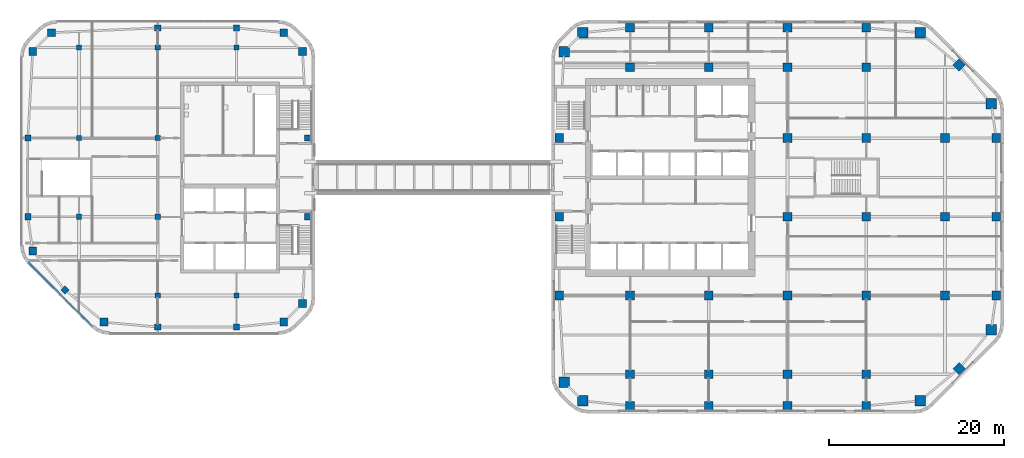
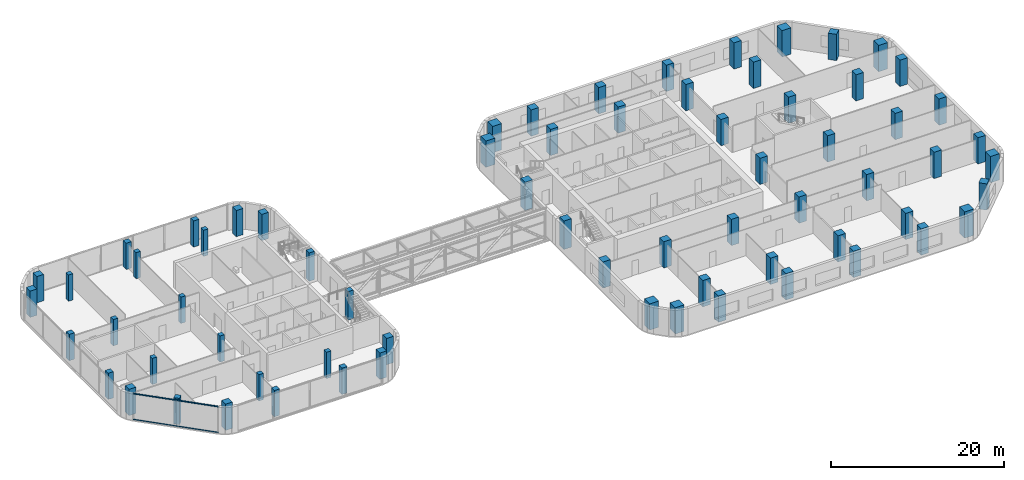
# One storey, part 1 of 21: 69 columns, 4 members, 1 element without a shape of its own.
"""IFC4 building model written with IfcOpenShell, lengths in metres."""

import ifcopenshell
import ifcopenshell.guid

model = None  # the IFC model being written
_history = None  # IfcOwnerHistory: only IFC2X3 demands one
_inside = {}  # id of a spatial element -> (the spatial element, [elements in it])
_under = {}  # id of a project, library or spatial element -> (it, [spatial elements below it])
_declared = {}  # id of a project -> (the project, [libraries it declares])
_typed = {}  # id of a type object -> (the type object, [elements of that type])
_made_of = {}  # id of a material, layer set ... -> (it, [elements and type objects made of it])


def new_model(schema):
    """Start an empty IFC model of exactly this schema.

    Asked for "IFC4X3", IfcOpenShell would pick the latest addendum, in which some entities
    have other attributes; the version numbers below select the first issue.
    IFC2X3 requires an IfcOwnerHistory on every rooted entity: one is made here for all.
    """
    global model, _history
    if schema == "IFC4X3":
        model = ifcopenshell.file(schema_version=(4, 3, 0, 0))
    else:
        model = ifcopenshell.file(schema=schema)
    _inside.clear()
    _under.clear()
    _declared.clear()
    _typed.clear()
    _made_of.clear()
    _history = None
    if model.schema == "IFC2X3":
        org = make("IfcOrganization", Name="unknown")
        user = make(
            "IfcPersonAndOrganization",
            ThePerson=make("IfcPerson", FamilyName="unknown"),
            TheOrganization=org,
        )
        app = make(
            "IfcApplication",
            ApplicationDeveloper=org,
            Version="unknown",
            ApplicationFullName="unknown",
            ApplicationIdentifier="unknown",
        )
        _history = make(
            "IfcOwnerHistory",
            OwningUser=user,
            OwningApplication=app,
            ChangeAction="ADDED",
            CreationDate=0,
        )
    return model


def make(cls, **values):
    """One entity of the class cls with the attributes given. An attribute that is None is left unset."""
    return model.create_entity(
        cls, **{name: value for name, value in values.items() if value is not None}
    )


def rooted(cls, **values):
    """An entity with a GlobalId (a new one), such as an element, a storey or a relation."""
    return make(cls, GlobalId=ifcopenshell.guid.new(), OwnerHistory=_history, **values)


def si_unit(unit_type, name, prefix=None):
    """IfcSIUnit, for example si_unit("LENGTHUNIT", "METRE", prefix="MILLI")."""
    return make("IfcSIUnit", UnitType=unit_type, Prefix=prefix, Name=name)


def assignment(units):
    """IfcUnitAssignment: the units of a project."""
    return None if units is None else make("IfcUnitAssignment", Units=units)


def point(xyz):
    """IfcCartesianPoint."""
    return None if xyz is None else make("IfcCartesianPoint", Coordinates=xyz)


def direction(xyz):
    """IfcDirection."""
    return None if xyz is None else make("IfcDirection", DirectionRatios=xyz)


def frame(location, z_axis=None, x_axis=None):
    """IfcAxis2Placement3D, a coordinate frame: its origin and axes. An axis left out is left unset."""
    return make(
        "IfcAxis2Placement3D",
        Location=point(location),
        Axis=direction(z_axis),
        RefDirection=direction(x_axis),
    )


def frame_2d(location, x_axis=None):
    """IfcAxis2Placement2D, a coordinate frame in the plane: its origin and x axis."""
    return make(
        "IfcAxis2Placement2D", Location=point(location), RefDirection=direction(x_axis)
    )


def origin():
    """The frame at (0, 0, 0) with its axes left unset."""
    return frame((0.0, 0.0, 0.0))


def origin_2d():
    """The frame at (0, 0) in the plane with its x axis left unset."""
    return frame_2d((0.0, 0.0))


def place(relative_to, where):
    """IfcLocalPlacement: puts the frame where relative to a parent placement (None: the world)."""
    return make(
        "IfcLocalPlacement", PlacementRelTo=relative_to, RelativePlacement=where
    )


def context(
    kind, dimensions, precision=None, world=None, true_north=None, identifier=None
):
    """IfcGeometricRepresentationContext, for example the 3D "Model" context."""
    return make(
        "IfcGeometricRepresentationContext",
        ContextIdentifier=identifier,
        ContextType=kind,
        CoordinateSpaceDimension=dimensions,
        Precision=precision,
        WorldCoordinateSystem=world,
        TrueNorth=true_north,
    )


def subcontext(parent, identifier, kind, view, scale=None):
    """IfcGeometricRepresentationSubContext, for example "Body" below "Model"."""
    return make(
        "IfcGeometricRepresentationSubContext",
        ContextIdentifier=identifier,
        ContextType=kind,
        ParentContext=parent,
        TargetScale=scale,
        TargetView=view,
    )


def project(units=None, contexts=None):
    """IfcProject with its units and contexts."""
    return rooted(
        "IfcProject",
        Name="project",
        RepresentationContexts=contexts,
        UnitsInContext=assignment(units),
    )


def spatial(cls, under=None, at=None, **own):
    """A site, building, storey or space (cls), placed at a placement, below another one or the project."""
    s = rooted(cls, ObjectPlacement=at, **own)
    if under is not None:
        _under.setdefault(under.id(), (under, []))[1].append(s)
    return s


def profile(cls, at=None, kind="AREA", **sizes):
    """A parametric profile (cls). Its sizes go by their IFC names, for example OverallWidth=200.0."""
    return make(cls, ProfileType=kind, Position=at, **sizes)


def rectangle(**sizes):
    """IfcRectangleProfileDef."""
    return profile("IfcRectangleProfileDef", **sizes)


def extrude(swept, where, along, depth):
    """IfcExtrudedAreaSolid: the profile swept, set in the frame where, extruded along a direction by depth."""
    return make(
        "IfcExtrudedAreaSolid",
        SweptArea=swept,
        Position=where,
        ExtrudedDirection=direction(along),
        Depth=depth,
    )


def shape(context_of_items, identifier, shape_type, items):
    """IfcShapeRepresentation: the items that make up one representation, for example the "Body"."""
    return make(
        "IfcShapeRepresentation",
        ContextOfItems=context_of_items,
        RepresentationIdentifier=identifier,
        RepresentationType=shape_type,
        Items=items,
    )


def material(Name=None, Category=None):
    """IfcMaterial."""
    return make("IfcMaterial", Name=Name, Category=Category)


def material_profile(
    of_material, cross_section, Name=None, Category=None, Priority=None
):
    """IfcMaterialProfile: a cross section and its material."""
    return make(
        "IfcMaterialProfile",
        Name=Name,
        Material=of_material,
        Profile=cross_section,
        Priority=Priority,
        Category=Category,
    )


def profile_set(profiles, Name=None, composite=None):
    """IfcMaterialProfileSet."""
    return make(
        "IfcMaterialProfileSet",
        Name=Name,
        MaterialProfiles=profiles,
        CompositeProfile=composite,
    )


def made_of(thing, what):
    """Note that an element or type object is made of a material, layer set ...; save() writes the relation."""
    if what is not None:
        _made_of.setdefault(what.id(), (what, []))[1].append(thing)
    return thing


def type_object(cls, material=None, **own):
    """A type object (cls), such as IfcWallType, which elements share."""
    return made_of(rooted(cls, **own), material)


def element(
    cls,
    number,
    at=None,
    inside=None,
    cuts=None,
    type_object=None,
    material=None,
    context=None,
    identifier="Body",
    shape_type=None,
    held_by="IfcProductDefinitionShape",
    body=None,
    shapes=None,
    **own,
):
    """One element of the class cls, such as IfcWall. Its Tag is "e" and its number.

    at: its placement. inside: the storey or other place that contains it. cuts: it is an
    opening in that element (IfcRelVoidsElement). A single representation is given by context,
    identifier, shape_type and body (its items); several are given by shapes. held_by: the class
    of the entity that holds the representations. save() writes the other relations.
    """
    e = rooted(cls, Tag="e%d" % number, ObjectPlacement=at, **own)
    if body is not None:
        shapes = [shape(context, identifier, shape_type, body)]
    if shapes is not None:
        e.Representation = make(held_by, Representations=shapes)
    if inside is not None:
        _inside.setdefault(inside.id(), (inside, []))[1].append(e)
    if cuts is not None:
        rooted(
            "IfcRelVoidsElement", RelatingBuildingElement=cuts, RelatedOpeningElement=e
        )
    if type_object is not None:
        _typed.setdefault(type_object.id(), (type_object, []))[1].append(e)
    return made_of(e, material)


def aggregate(whole, parts):
    """IfcRelAggregates: a whole, such as a stair, and the parts it consists of."""
    return rooted("IfcRelAggregates", RelatingObject=whole, RelatedObjects=parts)


def save(model, path):
    """Write the relations noted so far, then the file.

    IfcRelAggregates (storeys below a building ...), IfcRelContainedInSpatialStructure (elements
    in a storey), IfcRelDefinesByType, IfcRelAssociatesMaterial and IfcRelDeclares: one each for
    every whole, place, type object, material and project.
    """
    for whole, parts in _under.values():
        aggregate(whole, parts)
    for where, things in _inside.values():
        rooted(
            "IfcRelContainedInSpatialStructure",
            RelatedElements=things,
            RelatingStructure=where,
        )
    for kind, things in _typed.values():
        rooted("IfcRelDefinesByType", RelatedObjects=things, RelatingType=kind)
    for what, things in _made_of.values():
        rooted("IfcRelAssociatesMaterial", RelatedObjects=things, RelatingMaterial=what)
    for by, libraries in _declared.values():
        rooted("IfcRelDeclares", RelatingContext=by, RelatedDefinitions=libraries)
    model.write(path)


model = new_model("IFC4")

# Units and contexts
model_context = context("Model", 3, precision=1e-05, world=origin(), true_north=direction((0.0, 1.0)))
body_context = subcontext(model_context, "Body", "Model", "MODEL_VIEW")
ifc_project = project(units=[si_unit("LENGTHUNIT", "METRE"), si_unit("AREAUNIT", "SQUARE_METRE"), si_unit("VOLUMEUNIT", "CUBIC_METRE"), si_unit("PLANEANGLEUNIT", "RADIAN"), si_unit("MASSUNIT", "GRAM", prefix="KILO")], contexts=[model_context])

# Site, building, storey
site_placement = place(None, origin())
site = spatial("IfcSite", under=ifc_project, at=site_placement, CompositionType="ELEMENT")
building_placement = place(site_placement, origin())
building = spatial("IfcBuilding", under=site, at=building_placement, Name="Cinnabar Reach Civic Tower", CompositionType="ELEMENT")
storey_placement = place(building_placement, frame((0.0, 0.0, 140.0)))
storey = spatial("IfcBuildingStorey", under=building, at=storey_placement, Name="L33", CompositionType="ELEMENT", Elevation=140.0)

# Columns
ifc_material_1 = material(Name="Concrete C70", Category="concrete")
ifc_material_profile_1 = material_profile(ifc_material_1, rectangle(XDim=1.0, YDim=1.0, at=origin_2d()), Name="RC1000")
ifc_profile_set_1 = profile_set([ifc_material_profile_1], Name="Concrete C70")
column_type_1 = type_object("IfcColumnType", Name="RC1000 column R 240", PredefinedType="COLUMN", material=ifc_profile_set_1)
for number, where, z_axis, x_axis, name in (
    (1, (9.0, 5.4, 0.0), (0.0, 0.0, 1.0), (1.0, 0.0, 0.0), "Column T1-Z2-F0-1"),
    (2, (18.0, 5.4, 0.0), (0.0, 0.0, 1.0), (1.0, 0.0, 0.0), "Column T1-Z2-F0-2"),
    (3, (27.0, 5.4, 0.0), (0.0, 0.0, 1.0), (1.0, 0.0, 0.0), "Column T1-Z2-F0-3"),
    (4, (36.0, 5.4, 0.0), (0.0, 0.0, 1.0), (1.0, 0.0, 0.0), "Column T1-Z2-F0-4"),
    (5, (46.6136, 9.6364, 0.0), (0.0, 0.0, 1.0), (0.707106781187, 0.707106781187, 0.0), "Column T1-Z2-F1-M"),
    (6, (50.85, 18.0, 0.0), (0.0, 0.0, 1.0), (1.0, 0.0, 0.0), "Column T1-Z2-F2-2"),
    (7, (50.85, 27.0, 0.0), (0.0, 0.0, 1.0), (1.0, 0.0, 0.0), "Column T1-Z2-F2-3"),
    (8, (50.85, 36.0, 0.0), (0.0, 0.0, 1.0), (1.0, 0.0, 0.0), "Column T1-Z2-F2-4"),
    (9, (46.6136, 44.3636, 0.0), (0.0, 0.0, 1.0), (0.707106781187, 0.707106781187, 0.0), "Column T1-Z2-F3-M"),
    (10, (9.0, 48.6, 0.0), (0.0, 0.0, 1.0), (1.0, 0.0, 0.0), "Column T1-Z2-F4-1"),
    (11, (18.0, 48.6, 0.0), (0.0, 0.0, 1.0), (1.0, 0.0, 0.0), "Column T1-Z2-F4-2"),
    (12, (27.0, 48.6, 0.0), (0.0, 0.0, 1.0), (1.0, 0.0, 0.0), "Column T1-Z2-F4-3"),
    (13, (36.0, 48.6, 0.0), (0.0, 0.0, 1.0), (1.0, 0.0, 0.0), "Column T1-Z2-F4-4"),
    (14, (0.9, 18.0, 0.0), (0.0, 0.0, 1.0), (1.0, 0.0, 0.0), "Column T1-Z2-F6-2"),
):
    element("IfcColumn", number, at=place(storey_placement, frame(where, z_axis=z_axis, x_axis=x_axis)), inside=storey, type_object=column_type_1, Name=name, PredefinedType="COLUMN", context=body_context, shape_type="SweptSolid", body=[
        extrude(rectangle(XDim=1.0, YDim=1.0, at=origin_2d()), origin(), (0.0, 0.0, 1.0), 3.7),
    ])
for number, where, z_axis, x_axis, name in (
    (15, (0.9, 27.0, 0.0), (0.0, 0.0, 1.0), (1.0, 0.0, 0.0), "Column T1-Z2-F6-3"),
    (16, (0.9, 36.0, 0.0), (0.0, 0.0, 1.0), (1.0, 0.0, 0.0), "Column T1-Z2-F6-4"),
):
    element("IfcColumn", number, at=place(storey_placement, frame(where, z_axis=z_axis, x_axis=x_axis)), inside=storey, type_object=column_type_1, Name=name, PredefinedType="COLUMN", context=body_context, shape_type="SweptSolid", body=[
        extrude(rectangle(XDim=1.0, YDim=1.0, at=origin_2d()), origin(), (0.0, 0.0, 1.0), 4.0),
    ])
for number, where, z_axis, x_axis, name in (
    (17, (9.0, 9.0, 0.0), (0.0, 0.0, 1.0), (1.0, 0.0, 0.0), "Column T1-Z2-I9_9"),
    (18, (9.0, 18.0, 0.0), (0.0, 0.0, 1.0), (1.0, 0.0, 0.0), "Column T1-Z2-I9_18"),
    (19, (9.0, 44.1, 0.0), (0.0, 0.0, 1.0), (1.0, 0.0, 0.0), "Column T1-Z2-I9_45"),
    (20, (18.0, 9.0, 0.0), (0.0, 0.0, 1.0), (1.0, 0.0, 0.0), "Column T1-Z2-I18_9"),
    (21, (18.0, 18.0, 0.0), (0.0, 0.0, 1.0), (1.0, 0.0, 0.0), "Column T1-Z2-I18_18"),
    (22, (18.0, 44.1, 0.0), (0.0, 0.0, 1.0), (1.0, 0.0, 0.0), "Column T1-Z2-I18_45"),
    (23, (27.0, 9.0, 0.0), (0.0, 0.0, 1.0), (1.0, 0.0, 0.0), "Column T1-Z2-I27_9"),
    (24, (27.0, 18.0, 0.0), (0.0, 0.0, 1.0), (1.0, 0.0, 0.0), "Column T1-Z2-I27_18"),
    (25, (27.0, 27.0, 0.0), (0.0, 0.0, 1.0), (1.0, 0.0, 0.0), "Column T1-Z2-I27_27"),
    (26, (27.0, 36.0, 0.0), (0.0, 0.0, 1.0), (1.0, 0.0, 0.0), "Column T1-Z2-I27_36"),
    (27, (27.0, 44.1, 0.0), (0.0, 0.0, 1.0), (1.0, 0.0, 0.0), "Column T1-Z2-I27_45"),
    (28, (36.0, 9.0, 0.0), (0.0, 0.0, 1.0), (1.0, 0.0, 0.0), "Column T1-Z2-I36_9"),
    (29, (36.0, 18.0, 0.0), (0.0, 0.0, 1.0), (1.0, 0.0, 0.0), "Column T1-Z2-I36_18"),
    (30, (36.0, 27.0, 0.0), (0.0, 0.0, 1.0), (1.0, 0.0, 0.0), "Column T1-Z2-I36_27"),
    (31, (36.0, 36.0, 0.0), (0.0, 0.0, 1.0), (1.0, 0.0, 0.0), "Column T1-Z2-I36_36"),
    (32, (36.0, 44.1, 0.0), (0.0, 0.0, 1.0), (1.0, 0.0, 0.0), "Column T1-Z2-I36_45"),
    (33, (45.0, 18.0, 0.0), (0.0, 0.0, 1.0), (1.0, 0.0, 0.0), "Column T1-Z2-I45_18"),
    (34, (45.0, 27.0, 0.0), (0.0, 0.0, 1.0), (1.0, 0.0, 0.0), "Column T1-Z2-I45_27"),
    (35, (45.0, 36.0, 0.0), (0.0, 0.0, 1.0), (1.0, 0.0, 0.0), "Column T1-Z2-I45_36"),
):
    element("IfcColumn", number, at=place(storey_placement, frame(where, z_axis=z_axis, x_axis=x_axis)), inside=storey, type_object=column_type_1, Name=name, PredefinedType="COLUMN", context=body_context, shape_type="SweptSolid", body=[
        extrude(rectangle(XDim=1.0, YDim=1.0, at=origin_2d()), origin(), (0.0, 0.0, 1.0), 3.7),
    ])
ifc_material_2 = material(Name="Concrete C80", Category="concrete")
ifc_material_profile_2 = material_profile(ifc_material_2, rectangle(XDim=1.2, YDim=1.2, at=origin_2d()), Name="RC1200")
ifc_profile_set_2 = profile_set([ifc_material_profile_2], Name="Concrete C80")
column_type_2 = type_object("IfcColumnType", Name="RC1200 column R 240", PredefinedType="COLUMN", material=ifc_profile_set_2)
for number, where, z_axis, x_axis, name in (
    (36, (3.6019, 5.9531, 0.0), (0.0, 0.0, 1.0), (1.0, 0.0, 0.0), "Column T1-Z2-CC0"),
    (37, (42.1481, 5.9531, 0.0), (0.0, 0.0, 1.0), (1.0, 0.0, 0.0), "Column T1-Z2-CC1"),
    (38, (50.2969, 14.1019, 0.0), (0.0, 0.0, 1.0), (1.0, 0.0, 0.0), "Column T1-Z2-CC2"),
    (39, (50.2969, 39.8981, 0.0), (0.0, 0.0, 1.0), (1.0, 0.0, 0.0), "Column T1-Z2-CC3"),
    (40, (42.1481, 48.0469, 0.0), (0.0, 0.0, 1.0), (1.0, 0.0, 0.0), "Column T1-Z2-CC4"),
    (41, (3.6019, 48.0469, 0.0), (0.0, 0.0, 1.0), (1.0, 0.0, 0.0), "Column T1-Z2-CC5"),
    (42, (1.4531, 45.8981, 0.0), (0.0, 0.0, 1.0), (1.0, 0.0, 0.0), "Column T1-Z2-CC6"),
    (43, (1.4531, 8.1019, 0.0), (0.0, 0.0, 1.0), (1.0, 0.0, 0.0), "Column T1-Z2-CC7"),
):
    element("IfcColumn", number, at=place(storey_placement, frame(where, z_axis=z_axis, x_axis=x_axis)), inside=storey, type_object=column_type_2, Name=name, PredefinedType="COLUMN", context=body_context, shape_type="SweptSolid", body=[
        extrude(rectangle(XDim=1.2, YDim=1.2, at=origin_2d()), origin(), (0.0, 0.0, 1.0), 3.7),
    ])
ifc_material_3 = material(Name="Concrete C60", Category="concrete")
ifc_material_profile_3 = material_profile(ifc_material_3, rectangle(XDim=0.6, YDim=0.6, at=origin_2d()), Name="RC600")
ifc_profile_set_3 = profile_set([ifc_material_profile_3], Name="Concrete C60")
column_type_3 = type_object("IfcColumnType", Name="RC600 column R 180", PredefinedType="COLUMN", material=ifc_profile_set_3)
for number, where, z_axis, x_axis, name in (
    (44, (-54.0, 27.0, 0.0), (0.0, 0.0, 1.0), (1.0, 0.0, 0.0), "Column T2-Z3-I-54_27"),
    (45, (-54.0, 36.0, 0.0), (0.0, 0.0, 1.0), (1.0, 0.0, 0.0), "Column T2-Z3-I-54_36"),
    (46, (-54.0, 46.35, 0.0), (0.0, 0.0, 1.0), (1.0, 0.0, 0.0), "Column T2-Z3-I-54_45"),
    (47, (-45.0, 18.0, 0.0), (0.0, 0.0, 1.0), (1.0, 0.0, 0.0), "Column T2-Z3-I-45_18"),
    (48, (-45.0, 27.0, 0.0), (0.0, 0.0, 1.0), (1.0, 0.0, 0.0), "Column T2-Z3-I-45_27"),
    (49, (-45.0, 36.0, 0.0), (0.0, 0.0, 1.0), (1.0, 0.0, 0.0), "Column T2-Z3-I-45_36"),
    (50, (-45.0, 46.35, 0.0), (0.0, 0.0, 1.0), (1.0, 0.0, 0.0), "Column T2-Z3-I-45_45"),
    (51, (-36.0, 18.0, 0.0), (0.0, 0.0, 1.0), (1.0, 0.0, 0.0), "Column T2-Z3-I-36_18"),
    (52, (-36.0, 46.35, 0.0), (0.0, 0.0, 1.0), (1.0, 0.0, 0.0), "Column T2-Z3-I-36_45"),
):
    element("IfcColumn", number, at=place(storey_placement, frame(where, z_axis=z_axis, x_axis=x_axis)), inside=storey, type_object=column_type_3, Name=name, PredefinedType="COLUMN", context=body_context, shape_type="SweptSolid", body=[
        extrude(rectangle(XDim=0.6, YDim=0.6, at=origin_2d()), origin(), (0.0, 0.0, 1.0), 3.7),
    ])
ifc_material_profile_4 = material_profile(ifc_material_3, rectangle(XDim=0.7, YDim=0.7, at=origin_2d()), Name="RC700")
ifc_profile_set_4 = profile_set([ifc_material_profile_4], Name="Concrete C60")
column_type_4 = type_object("IfcColumnType", Name="RC700 column R 180", PredefinedType="COLUMN", material=ifc_profile_set_4)
for number, where, z_axis, x_axis, name in (
    (53, (-45.0, 14.4, 0.0), (0.0, 0.0, 1.0), (1.0, 0.0, 0.0), "Column T2-Z3-F0--5"),
    (54, (-36.0, 14.4, 0.0), (0.0, 0.0, 1.0), (1.0, 0.0, 0.0), "Column T2-Z3-F0--4"),
):
    element("IfcColumn", number, at=place(storey_placement, frame(where, z_axis=z_axis, x_axis=x_axis)), inside=storey, type_object=column_type_4, Name=name, PredefinedType="COLUMN", context=body_context, shape_type="SweptSolid", body=[
        extrude(rectangle(XDim=0.7, YDim=0.7, at=origin_2d()), origin(), (0.0, 0.0, 1.0), 3.7),
    ])
for number, where, z_axis, x_axis, name in (
    (55, (-27.9, 27.0, 0.0), (0.0, 0.0, 1.0), (1.0, 0.0, 0.0), "Column T2-Z3-F2-3"),
    (56, (-27.9, 36.0, 0.0), (0.0, 0.0, 1.0), (1.0, 0.0, 0.0), "Column T2-Z3-F2-4"),
):
    element("IfcColumn", number, at=place(storey_placement, frame(where, z_axis=z_axis, x_axis=x_axis)), inside=storey, type_object=column_type_4, Name=name, PredefinedType="COLUMN", context=body_context, shape_type="SweptSolid", body=[
        extrude(rectangle(XDim=0.7, YDim=0.7, at=origin_2d()), origin(), (0.0, 0.0, 1.0), 4.0),
    ])
for number, where, z_axis, x_axis, name in (
    (57, (-45.0, 48.6, 0.0), (0.0, 0.0, 1.0), (1.0, 0.0, 0.0), "Column T2-Z3-F4--5"),
    (58, (-36.0, 48.6, 0.0), (0.0, 0.0, 1.0), (1.0, 0.0, 0.0), "Column T2-Z3-F4--4"),
    (59, (-59.85, 27.0, 0.0), (0.0, 0.0, 1.0), (1.0, 0.0, 0.0), "Column T2-Z3-F6-3"),
    (60, (-59.85, 36.0, 0.0), (0.0, 0.0, 1.0), (1.0, 0.0, 0.0), "Column T2-Z3-F6-4"),
    (61, (-55.6136, 18.6364, 0.0), (0.0, 0.0, 1.0), (0.707106781187, 0.707106781187, 0.0), "Column T2-Z3-F7-M"),
):
    element("IfcColumn", number, at=place(storey_placement, frame(where, z_axis=z_axis, x_axis=x_axis)), inside=storey, type_object=column_type_4, Name=name, PredefinedType="COLUMN", context=body_context, shape_type="SweptSolid", body=[
        extrude(rectangle(XDim=0.7, YDim=0.7, at=origin_2d()), origin(), (0.0, 0.0, 1.0), 3.7),
    ])
ifc_material_profile_5 = material_profile(ifc_material_1, rectangle(XDim=0.9, YDim=0.9, at=origin_2d()), Name="RC900")
ifc_profile_set_5 = profile_set([ifc_material_profile_5], Name="Concrete C70")
column_type_5 = type_object("IfcColumnType", Name="RC900 column R 180", PredefinedType="COLUMN", material=ifc_profile_set_5)
for number, where, z_axis, x_axis, name in (
    (62, (-51.1481, 14.9531, 0.0), (0.0, 0.0, 1.0), (1.0, 0.0, 0.0), "Column T2-Z3-CC0"),
    (63, (-30.6019, 14.9531, 0.0), (0.0, 0.0, 1.0), (1.0, 0.0, 0.0), "Column T2-Z3-CC1"),
    (64, (-28.4531, 17.1019, 0.0), (0.0, 0.0, 1.0), (1.0, 0.0, 0.0), "Column T2-Z3-CC2"),
    (65, (-28.4531, 45.8981, 0.0), (0.0, 0.0, 1.0), (1.0, 0.0, 0.0), "Column T2-Z3-CC3"),
    (66, (-30.6019, 48.0469, 0.0), (0.0, 0.0, 1.0), (1.0, 0.0, 0.0), "Column T2-Z3-CC4"),
    (67, (-57.1481, 48.0469, 0.0), (0.0, 0.0, 1.0), (1.0, 0.0, 0.0), "Column T2-Z3-CC5"),
    (68, (-59.2969, 45.8981, 0.0), (0.0, 0.0, 1.0), (1.0, 0.0, 0.0), "Column T2-Z3-CC6"),
    (69, (-59.2969, 23.1019, 0.0), (0.0, 0.0, 1.0), (1.0, 0.0, 0.0), "Column T2-Z3-CC7"),
):
    element("IfcColumn", number, at=place(storey_placement, frame(where, z_axis=z_axis, x_axis=x_axis)), inside=storey, type_object=column_type_5, Name=name, PredefinedType="COLUMN", context=body_context, shape_type="SweptSolid", body=[
        extrude(rectangle(XDim=0.9, YDim=0.9, at=origin_2d()), origin(), (0.0, 0.0, 1.0), 3.7),
    ])

# Curtain wall, members
ifc_material_4 = material(Name="Aluminium and clear double glazing", Category="aluminium")
curtain_wall_type = type_object("IfcCurtainWallType", Name="Tower 2 sky lobby and amenity curtain wall", PredefinedType="NOTDEFINED", material=ifc_material_4)
curtain_wall_placement = place(storey_placement, origin())
curtain_wall = element("IfcCurtainWall", 70, at=curtain_wall_placement, inside=storey, type_object=curtain_wall_type, Name="Tower 2 sky lobby and amenity 8", PredefinedType="NOTDEFINED")
ifc_material_5 = material(Name="Aluminium", Category="aluminium")
ifc_material_profile_6 = material_profile(ifc_material_5, rectangle(XDim=0.06, YDim=0.12, at=origin_2d()), Name="Tower 2 sky lobby and amenity transom")
ifc_profile_set_6 = profile_set([ifc_material_profile_6], Name="Aluminium")
member_type = type_object("IfcMemberType", Name="Tower 2 sky lobby and amenity transom", PredefinedType="USERDEFINED", material=ifc_profile_set_6)
member_1_placement = place(storey_placement, frame((-59.7016, 21.7062, 0.03), z_axis=(0.707106781187, -0.707106781187, 0.0), x_axis=(0.707106781187, 0.707106781187, 0.0)))
member_1 = element("IfcMember", 71, at=member_1_placement, type_object=member_type, Name="CW-T2SKY-8 transom 1.1", ObjectType="TRANSOM", PredefinedType="USERDEFINED", context=body_context, shape_type="SweptSolid", body=[
    extrude(rectangle(XDim=0.06, YDim=0.12, at=origin_2d()), origin(), (0.0, 0.0, 1.0), 5.0313),
])
member_2_placement = place(storey_placement, frame((-59.7016, 21.7062, 3.67), z_axis=(0.707106781187, -0.707106781187, 0.0), x_axis=(0.707106781187, 0.707106781187, 0.0)))
member_2 = element("IfcMember", 72, at=member_2_placement, type_object=member_type, Name="CW-T2SKY-8 transom 1.2", ObjectType="TRANSOM", PredefinedType="USERDEFINED", context=body_context, shape_type="SweptSolid", body=[
    extrude(rectangle(XDim=0.06, YDim=0.12, at=origin_2d()), origin(), (0.0, 0.0, 1.0), 5.0313),
])
member_3_placement = place(storey_placement, frame((-56.1015, 18.1061, 0.03), z_axis=(0.707106781187, -0.707106781187, 0.0), x_axis=(0.707106781187, 0.707106781187, 0.0)))
member_3 = element("IfcMember", 73, at=member_3_placement, type_object=member_type, Name="CW-T2SKY-8 transom 2.1", ObjectType="TRANSOM", PredefinedType="USERDEFINED", context=body_context, shape_type="SweptSolid", body=[
    extrude(rectangle(XDim=0.06, YDim=0.12, at=origin_2d()), origin(), (0.0, 0.0, 1.0), 5.0313),
])
member_4_placement = place(storey_placement, frame((-56.1015, 18.1061, 3.67), z_axis=(0.707106781187, -0.707106781187, 0.0), x_axis=(0.707106781187, 0.707106781187, 0.0)))
member_4 = element("IfcMember", 74, at=member_4_placement, type_object=member_type, Name="CW-T2SKY-8 transom 2.2", ObjectType="TRANSOM", PredefinedType="USERDEFINED", context=body_context, shape_type="SweptSolid", body=[
    extrude(rectangle(XDim=0.06, YDim=0.12, at=origin_2d()), origin(), (0.0, 0.0, 1.0), 5.0313),
])
aggregate(curtain_wall, [member_1, member_2, member_3, member_4])

save(model, "model.ifc")
